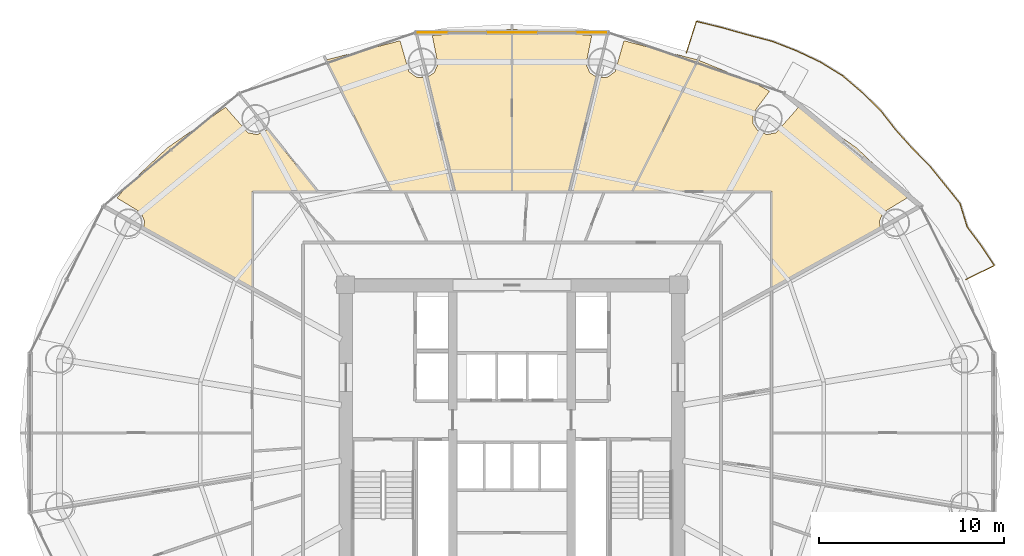
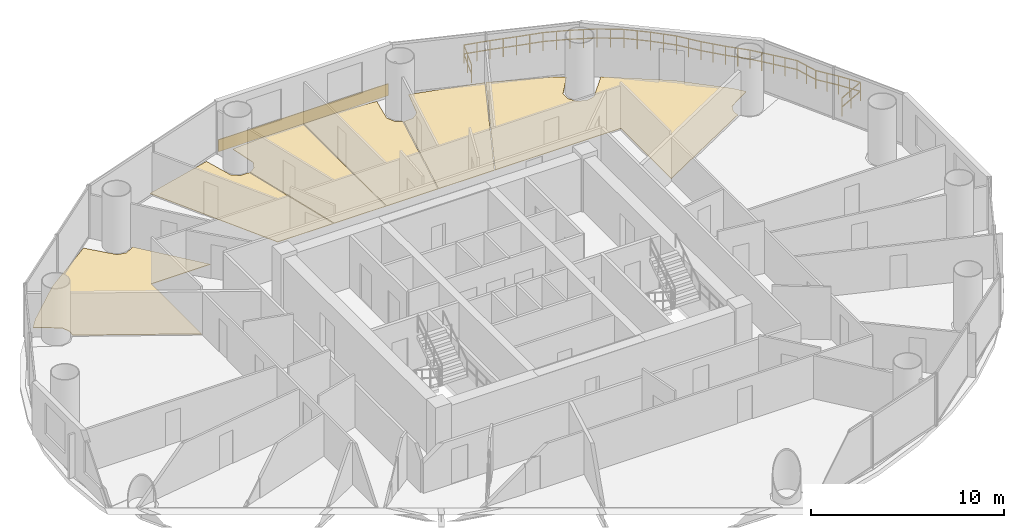
# One storey, part 29 of 29: 7 coverings, 1 railing.
"""IFC4 building model written with IfcOpenShell, lengths in metres."""

from ifc_helpers import new_model, si_unit, direction, frame, origin, origin_2d, place, context, subcontext, project, spatial, polyline, rectangle, outline, extrude, source, transform, mapped, material, layer, layer_set, type_object, element, save


model = new_model("IFC4")

# Units and contexts
model_context = context("Model", 3, precision=1e-05, world=origin(), true_north=direction((-0.2419218956, 0.970295726276)))
body_context = subcontext(model_context, "Body", "Model", "MODEL_VIEW")
ifc_project = project(units=[si_unit("LENGTHUNIT", "METRE"), si_unit("AREAUNIT", "SQUARE_METRE"), si_unit("VOLUMEUNIT", "CUBIC_METRE"), si_unit("PLANEANGLEUNIT", "RADIAN"), si_unit("MASSUNIT", "GRAM", prefix="KILO")], contexts=[model_context])

# Site, building, storey
site_placement = place(None, origin())
site = spatial("IfcSite", under=ifc_project, at=site_placement, CompositionType="ELEMENT")
building_placement = place(site_placement, origin())
building = spatial("IfcBuilding", under=site, at=building_placement, Name="Cobrevalo Terracotta Tower", CompositionType="ELEMENT")
storey_placement = place(building_placement, frame((0.0, 0.0, 90.60009765625)))
storey = spatial("IfcBuildingStorey", under=building, at=storey_placement, Name="L23", CompositionType="ELEMENT", Elevation=90.60009765625)

# Railing
ifc_material_1 = material(Name="Laminated structural glass and stainless steel", Category="steel")
railing_type = type_object("IfcRailingType", Name="Balcony lobe structural glass & terracotta-cap balustrade 1180 mm", PredefinedType="BALUSTRADE", material=ifc_material_1)
railing_placement = place(storey_placement, frame((62.544189453125, 35.095947265625, 0.0)))
element("IfcRailing", 1, at=railing_placement, inside=storey, type_object=railing_type, Name="L23 spiralling balcony lobe balustrade 1", PredefinedType="BALUSTRADE", context=body_context, shape_type="SweptSolid", body=[
    extrude(rectangle(XDim=0.048095703125, YDim=0.048095703125, at=origin_2d()), frame((0.0, 0.0, 1.15576171875), z_axis=(0.89828399934, 0.439415357639, 0.0), x_axis=(-0.439415357639, 0.89828399934, 0.0)), (0.0, 0.0, 1.0), 1.706787109375),
    extrude(rectangle(XDim=0.048095703125, YDim=0.048095703125, at=origin_2d()), frame((0.0, 0.0, 0.58984375), z_axis=(0.89828399934, 0.439415357639, 0.0), x_axis=(-0.439415357639, 0.89828399934, 0.0)), (0.0, 0.0, 1.0), 1.706787109375),
    extrude(rectangle(XDim=0.048095703125, YDim=0.048095703125, at=origin_2d()), frame((1.533203125, 0.75, 1.15576171875), z_axis=(-0.549292614204, 0.835630076039, 0.0), x_axis=(-0.835630076039, -0.549292614204, 0.0)), (0.0, 0.0, 1.0), 1.27392578125),
    extrude(rectangle(XDim=0.048095703125, YDim=0.048095703125, at=origin_2d()), frame((1.533203125, 0.75, 0.58984375), z_axis=(-0.549292614204, 0.835630076039, 0.0), x_axis=(-0.835630076039, -0.549292614204, 0.0)), (0.0, 0.0, 1.0), 1.27392578125),
    extrude(rectangle(XDim=0.048095703125, YDim=0.048095703125, at=origin_2d()), frame((0.83349609375, 1.814453125, 1.15576171875), z_axis=(-0.601504138255, 0.798869683779, 0.0), x_axis=(-0.798869683779, -0.601504138255, 0.0)), (0.0, 0.0, 1.0), 1.271728515625),
    extrude(rectangle(XDim=0.048095703125, YDim=0.048095703125, at=origin_2d()), frame((0.83349609375, 1.814453125, 0.58984375), z_axis=(-0.601504138255, 0.798869683779, 0.0), x_axis=(-0.798869683779, -0.601504138255, 0.0)), (0.0, 0.0, 1.0), 1.271728515625),
    extrude(rectangle(XDim=0.048095703125, YDim=0.048095703125, at=origin_2d()), frame((0.068603515625, 2.830322265625, 1.15576171875), z_axis=(-0.294689932382, 0.955592927848, 0.0), x_axis=(-0.955592927848, -0.294689932382, 0.0)), (0.0, 0.0, 1.0), 1.334716796875),
    extrude(rectangle(XDim=0.048095703125, YDim=0.048095703125, at=origin_2d()), frame((0.068603515625, 2.830322265625, 0.58984375), z_axis=(-0.294689932382, 0.955592927848, 0.0), x_axis=(-0.955592927848, -0.294689932382, 0.0)), (0.0, 0.0, 1.0), 1.334716796875),
    extrude(rectangle(XDim=0.048095703125, YDim=0.048095703125, at=origin_2d()), frame((-0.32470703125, 4.105712890625, 1.15576171875), z_axis=(-0.625629771124, 0.780120112215, 0.0), x_axis=(-0.780120112215, -0.625629771124, 0.0)), (0.0, 0.0, 1.0), 1.305419921875),
    extrude(rectangle(XDim=0.048095703125, YDim=0.048095703125, at=origin_2d()), frame((-0.32470703125, 4.105712890625, 0.58984375), z_axis=(-0.625629771124, 0.780120112215, 0.0), x_axis=(-0.780120112215, -0.625629771124, 0.0)), (0.0, 0.0, 1.0), 1.305419921875),
    extrude(rectangle(XDim=0.048095703125, YDim=0.048095703125, at=origin_2d()), frame((-1.141357421875, 5.1240234375, 1.15576171875), z_axis=(-0.628729378475, 0.777624182136, 0.0), x_axis=(-0.777624182136, -0.628729378475, 0.0)), (0.0, 0.0, 1.0), 1.303466796875),
    extrude(rectangle(XDim=0.048095703125, YDim=0.048095703125, at=origin_2d()), frame((-1.141357421875, 5.1240234375, 0.58984375), z_axis=(-0.628729378475, 0.777624182136, 0.0), x_axis=(-0.777624182136, -0.628729378475, 0.0)), (0.0, 0.0, 1.0), 1.303466796875),
    extrude(rectangle(XDim=0.048095703125, YDim=0.048095703125, at=origin_2d()), frame((-1.9609375, 6.1376953125, 1.15576171875), z_axis=(-0.70396125259, 0.710238378892, 0.0), x_axis=(-0.710238378892, -0.70396125259, 0.0)), (0.0, 0.0, 1.0), 1.322265625),
    extrude(rectangle(XDim=0.048095703125, YDim=0.048095703125, at=origin_2d()), frame((-1.9609375, 6.1376953125, 0.58984375), z_axis=(-0.70396125259, 0.710238378892, 0.0), x_axis=(-0.710238378892, -0.70396125259, 0.0)), (0.0, 0.0, 1.0), 1.322265625),
    extrude(rectangle(XDim=0.048095703125, YDim=0.048095703125, at=origin_2d()), frame((-2.891845703125, 7.076904296875, 1.15576171875), z_axis=(-0.668086156286, 0.744083925226, 0.0), x_axis=(-0.744083925226, -0.668086156286, 0.0)), (0.0, 0.0, 1.0), 1.33642578125),
    extrude(rectangle(XDim=0.048095703125, YDim=0.048095703125, at=origin_2d()), frame((-2.891845703125, 7.076904296875, 0.58984375), z_axis=(-0.668086156286, 0.744083925226, 0.0), x_axis=(-0.744083925226, -0.668086156286, 0.0)), (0.0, 0.0, 1.0), 1.33642578125),
    extrude(rectangle(XDim=0.048095703125, YDim=0.048095703125, at=origin_2d()), frame((-3.78466796875, 8.0712890625, 1.15576171875), z_axis=(-0.616428314898, 0.787411031541, 0.0), x_axis=(-0.787411031541, -0.616428314898, 0.0)), (0.0, 0.0, 1.0), 1.370849609375),
    extrude(rectangle(XDim=0.048095703125, YDim=0.048095703125, at=origin_2d()), frame((-3.78466796875, 8.0712890625, 0.58984375), z_axis=(-0.616428314898, 0.787411031541, 0.0), x_axis=(-0.787411031541, -0.616428314898, 0.0)), (0.0, 0.0, 1.0), 1.370849609375),
    extrude(rectangle(XDim=0.048095703125, YDim=0.048095703125, at=origin_2d()), frame((-4.629638671875, 9.150634765625, 1.15576171875), z_axis=(-0.716028739311, 0.698070801911, 0.0), x_axis=(-0.698070801911, -0.716028739311, 0.0)), (0.0, 0.0, 1.0), 1.38671875),
    extrude(rectangle(XDim=0.048095703125, YDim=0.048095703125, at=origin_2d()), frame((-4.629638671875, 9.150634765625, 0.58984375), z_axis=(-0.716028739311, 0.698070801911, 0.0), x_axis=(-0.698070801911, -0.716028739311, 0.0)), (0.0, 0.0, 1.0), 1.38671875),
    extrude(rectangle(XDim=0.048095703125, YDim=0.048095703125, at=origin_2d()), frame((-5.62255859375, 10.11865234375, 1.15576171875), z_axis=(-0.760680862312, 0.649126047631, 0.0), x_axis=(-0.649126047631, -0.760680862312, 0.0)), (0.0, 0.0, 1.0), 1.3896484375),
    extrude(rectangle(XDim=0.048095703125, YDim=0.048095703125, at=origin_2d()), frame((-5.62255859375, 10.11865234375, 0.58984375), z_axis=(-0.760680862312, 0.649126047631, 0.0), x_axis=(-0.649126047631, -0.760680862312, 0.0)), (0.0, 0.0, 1.0), 1.3896484375),
    extrude(rectangle(XDim=0.048095703125, YDim=0.048095703125, at=origin_2d()), frame((-6.6796875, 11.020751953125, 1.15576171875), z_axis=(-0.851514645557, 0.524330819618, 0.0), x_axis=(-0.524330819618, -0.851514645557, 0.0)), (0.0, 0.0, 1.0), 1.400634765625),
    extrude(rectangle(XDim=0.048095703125, YDim=0.048095703125, at=origin_2d()), frame((-6.6796875, 11.020751953125, 0.58984375), z_axis=(-0.851514645557, 0.524330819618, 0.0), x_axis=(-0.524330819618, -0.851514645557, 0.0)), (0.0, 0.0, 1.0), 1.400634765625),
    extrude(rectangle(XDim=0.048095703125, YDim=0.048095703125, at=origin_2d()), frame((-7.872314453125, 11.755126953125, 1.15576171875), z_axis=(-0.904528501346, 0.42641316848, 0.0), x_axis=(-0.42641316848, -0.904528501346, 0.0)), (0.0, 0.0, 1.0), 1.411865234375),
    extrude(rectangle(XDim=0.048095703125, YDim=0.048095703125, at=origin_2d()), frame((-7.872314453125, 11.755126953125, 0.58984375), z_axis=(-0.904528501346, 0.42641316848, 0.0), x_axis=(-0.42641316848, -0.904528501346, 0.0)), (0.0, 0.0, 1.0), 1.411865234375),
    extrude(rectangle(XDim=0.048095703125, YDim=0.048095703125, at=origin_2d()), frame((-9.1494140625, 12.357177734375, 1.15576171875), z_axis=(-0.930955857291, 0.365131745779, 0.0), x_axis=(-0.365131745779, -0.930955857291, 0.0)), (0.0, 0.0, 1.0), 1.407470703125),
    extrude(rectangle(XDim=0.048095703125, YDim=0.048095703125, at=origin_2d()), frame((-9.1494140625, 12.357177734375, 0.58984375), z_axis=(-0.930955857291, 0.365131745779, 0.0), x_axis=(-0.365131745779, -0.930955857291, 0.0)), (0.0, 0.0, 1.0), 1.407470703125),
    extrude(rectangle(XDim=0.048095703125, YDim=0.048095703125, at=origin_2d()), frame((-10.459716796875, 12.87109375, 1.15576171875), z_axis=(-0.967136275783, 0.254258577169, 0.0), x_axis=(-0.254258577169, -0.967136275783, 0.0)), (0.0, 0.0, 1.0), 1.43359375),
    extrude(rectangle(XDim=0.048095703125, YDim=0.048095703125, at=origin_2d()), frame((-10.459716796875, 12.87109375, 0.58984375), z_axis=(-0.967136275783, 0.254258577169, 0.0), x_axis=(-0.254258577169, -0.967136275783, 0.0)), (0.0, 0.0, 1.0), 1.43359375),
    extrude(rectangle(XDim=0.048095703125, YDim=0.048095703125, at=origin_2d()), frame((-11.84619140625, 13.235595703125, 1.15576171875), z_axis=(-0.962244484292, 0.272186613283, 0.0), x_axis=(-0.272186613283, -0.962244484292, 0.0)), (0.0, 0.0, 1.0), 1.41259765625),
    extrude(rectangle(XDim=0.048095703125, YDim=0.048095703125, at=origin_2d()), frame((-11.84619140625, 13.235595703125, 0.58984375), z_axis=(-0.962244484292, 0.272186613283, 0.0), x_axis=(-0.272186613283, -0.962244484292, 0.0)), (0.0, 0.0, 1.0), 1.41259765625),
    extrude(rectangle(XDim=0.048095703125, YDim=0.048095703125, at=origin_2d()), frame((-13.20556640625, 13.6201171875, 1.15576171875), z_axis=(-0.971558148622, 0.236801106091, 0.0), x_axis=(-0.236801106091, -0.971558148622, 0.0)), (0.0, 0.0, 1.0), 1.41357421875),
    extrude(rectangle(XDim=0.048095703125, YDim=0.048095703125, at=origin_2d()), frame((-13.20556640625, 13.6201171875, 0.58984375), z_axis=(-0.971558148622, 0.236801106091, 0.0), x_axis=(-0.236801106091, -0.971558148622, 0.0)), (0.0, 0.0, 1.0), 1.41357421875),
    extrude(rectangle(XDim=0.048095703125, YDim=0.048095703125, at=origin_2d()), frame((-14.578857421875, 13.954833984375, 1.15576171875), z_axis=(-0.30216553642, -0.953255468697, 0.0), x_axis=(0.953255468697, -0.30216553642, 0.0)), (0.0, 0.0, 1.0), 1.796142578125),
    extrude(rectangle(XDim=0.048095703125, YDim=0.048095703125, at=origin_2d()), frame((-14.578857421875, 13.954833984375, 0.58984375), z_axis=(-0.30216553642, -0.953255468697, 0.0), x_axis=(0.953255468697, -0.30216553642, 0.0)), (0.0, 0.0, 1.0), 1.796142578125),
    extrude(rectangle(XDim=0.0419921875, YDim=0.0419921875, at=origin_2d()), origin(), (0.0, 0.0, 1.0), 1.1318359375),
    extrude(rectangle(XDim=0.0419921875, YDim=0.0419921875, at=origin_2d()), frame((0.7666015625, 0.375, 0.0)), (0.0, 0.0, 1.0), 1.1318359375),
    extrude(rectangle(XDim=0.0419921875, YDim=0.0419921875, at=origin_2d()), frame((1.533203125, 0.75, 0.0)), (0.0, 0.0, 1.0), 1.1318359375),
    extrude(rectangle(XDim=0.0419921875, YDim=0.0419921875, at=origin_2d()), frame((1.183349609375, 1.2822265625, 0.0)), (0.0, 0.0, 1.0), 1.1318359375),
    extrude(rectangle(XDim=0.0419921875, YDim=0.0419921875, at=origin_2d()), frame((0.83349609375, 1.814453125, 0.0)), (0.0, 0.0, 1.0), 1.1318359375),
    extrude(rectangle(XDim=0.0419921875, YDim=0.0419921875, at=origin_2d()), frame((0.451171875, 2.322265625, 0.0)), (0.0, 0.0, 1.0), 1.1318359375),
    extrude(rectangle(XDim=0.0419921875, YDim=0.0419921875, at=origin_2d()), frame((0.068603515625, 2.830322265625, 0.0)), (0.0, 0.0, 1.0), 1.1318359375),
    extrude(rectangle(XDim=0.0419921875, YDim=0.0419921875, at=origin_2d()), frame((-0.1279296875, 3.468017578125, 0.0)), (0.0, 0.0, 1.0), 1.1318359375),
    extrude(rectangle(XDim=0.0419921875, YDim=0.0419921875, at=origin_2d()), frame((-0.32470703125, 4.105712890625, 0.0)), (0.0, 0.0, 1.0), 1.1318359375),
    extrude(rectangle(XDim=0.0419921875, YDim=0.0419921875, at=origin_2d()), frame((-0.73291015625, 4.61474609375, 0.0)), (0.0, 0.0, 1.0), 1.1318359375),
    extrude(rectangle(XDim=0.0419921875, YDim=0.0419921875, at=origin_2d()), frame((-1.141357421875, 5.1240234375, 0.0)), (0.0, 0.0, 1.0), 1.1318359375),
    extrude(rectangle(XDim=0.0419921875, YDim=0.0419921875, at=origin_2d()), frame((-1.55126953125, 5.630859375, 0.0)), (0.0, 0.0, 1.0), 1.1318359375),
    extrude(rectangle(XDim=0.0419921875, YDim=0.0419921875, at=origin_2d()), frame((-1.9609375, 6.1376953125, 0.0)), (0.0, 0.0, 1.0), 1.1318359375),
    extrude(rectangle(XDim=0.0419921875, YDim=0.0419921875, at=origin_2d()), frame((-2.42626953125, 6.607421875, 0.0)), (0.0, 0.0, 1.0), 1.1318359375),
    extrude(rectangle(XDim=0.0419921875, YDim=0.0419921875, at=origin_2d()), frame((-2.891845703125, 7.076904296875, 0.0)), (0.0, 0.0, 1.0), 1.1318359375),
    extrude(rectangle(XDim=0.0419921875, YDim=0.0419921875, at=origin_2d()), frame((-3.33837890625, 7.57421875, 0.0)), (0.0, 0.0, 1.0), 1.1318359375),
    extrude(rectangle(XDim=0.0419921875, YDim=0.0419921875, at=origin_2d()), frame((-3.78466796875, 8.0712890625, 0.0)), (0.0, 0.0, 1.0), 1.1318359375),
    extrude(rectangle(XDim=0.0419921875, YDim=0.0419921875, at=origin_2d()), frame((-4.20703125, 8.61083984375, 0.0)), (0.0, 0.0, 1.0), 1.1318359375),
    extrude(rectangle(XDim=0.0419921875, YDim=0.0419921875, at=origin_2d()), frame((-4.629638671875, 9.150634765625, 0.0)), (0.0, 0.0, 1.0), 1.1318359375),
    extrude(rectangle(XDim=0.0419921875, YDim=0.0419921875, at=origin_2d()), frame((-5.1259765625, 9.634765625, 0.0)), (0.0, 0.0, 1.0), 1.1318359375),
    extrude(rectangle(XDim=0.0419921875, YDim=0.0419921875, at=origin_2d()), frame((-5.62255859375, 10.11865234375, 0.0)), (0.0, 0.0, 1.0), 1.1318359375),
    extrude(rectangle(XDim=0.0419921875, YDim=0.0419921875, at=origin_2d()), frame((-6.151123046875, 10.56982421875, 0.0)), (0.0, 0.0, 1.0), 1.1318359375),
    extrude(rectangle(XDim=0.0419921875, YDim=0.0419921875, at=origin_2d()), frame((-6.6796875, 11.020751953125, 0.0)), (0.0, 0.0, 1.0), 1.1318359375),
    extrude(rectangle(XDim=0.0419921875, YDim=0.0419921875, at=origin_2d()), frame((-7.27587890625, 11.387939453125, 0.0)), (0.0, 0.0, 1.0), 1.1318359375),
    extrude(rectangle(XDim=0.0419921875, YDim=0.0419921875, at=origin_2d()), frame((-7.872314453125, 11.755126953125, 0.0)), (0.0, 0.0, 1.0), 1.1318359375),
    extrude(rectangle(XDim=0.0419921875, YDim=0.0419921875, at=origin_2d()), frame((-8.5107421875, 12.05615234375, 0.0)), (0.0, 0.0, 1.0), 1.1318359375),
    extrude(rectangle(XDim=0.0419921875, YDim=0.0419921875, at=origin_2d()), frame((-9.1494140625, 12.357177734375, 0.0)), (0.0, 0.0, 1.0), 1.1318359375),
    extrude(rectangle(XDim=0.0419921875, YDim=0.0419921875, at=origin_2d()), frame((-9.8046875, 12.6142578125, 0.0)), (0.0, 0.0, 1.0), 1.1318359375),
    extrude(rectangle(XDim=0.0419921875, YDim=0.0419921875, at=origin_2d()), frame((-10.459716796875, 12.87109375, 0.0)), (0.0, 0.0, 1.0), 1.1318359375),
    extrude(rectangle(XDim=0.0419921875, YDim=0.0419921875, at=origin_2d()), frame((-11.15283203125, 13.05322265625, 0.0)), (0.0, 0.0, 1.0), 1.1318359375),
    extrude(rectangle(XDim=0.0419921875, YDim=0.0419921875, at=origin_2d()), frame((-11.84619140625, 13.235595703125, 0.0)), (0.0, 0.0, 1.0), 1.1318359375),
    extrude(rectangle(XDim=0.0419921875, YDim=0.0419921875, at=origin_2d()), frame((-12.52587890625, 13.427734375, 0.0)), (0.0, 0.0, 1.0), 1.1318359375),
    extrude(rectangle(XDim=0.0419921875, YDim=0.0419921875, at=origin_2d()), frame((-13.20556640625, 13.6201171875, 0.0)), (0.0, 0.0, 1.0), 1.1318359375),
    extrude(rectangle(XDim=0.0419921875, YDim=0.0419921875, at=origin_2d()), frame((-13.89208984375, 13.78759765625, 0.0)), (0.0, 0.0, 1.0), 1.1318359375),
    extrude(rectangle(XDim=0.0419921875, YDim=0.0419921875, at=origin_2d()), frame((-14.578857421875, 13.954833984375, 0.0)), (0.0, 0.0, 1.0), 1.1318359375),
    extrude(rectangle(XDim=0.0419921875, YDim=0.0419921875, at=origin_2d()), frame((-14.85009765625, 13.0986328125, 0.0)), (0.0, 0.0, 1.0), 1.1318359375),
    extrude(rectangle(XDim=0.0419921875, YDim=0.0419921875, at=origin_2d()), frame((-15.12158203125, 12.24267578125, 0.0)), (0.0, 0.0, 1.0), 1.1318359375),
])

# Coverings
ifc_material_2 = material(Name="Engineered Brazilian hardwood flooring", Category="wood")
ifc_layer_1 = layer(ifc_material_2, 0.028076171875)
ifc_layer_set_1 = layer_set([ifc_layer_1], Name="Engineered Brazilian hardwood flooring")
covering_type_1 = type_object("IfcCoveringType", Name="Engineered Hardwood Suite Flooring 28", PredefinedType="FLOORING", material=ifc_layer_set_1)
covering_1_placement = place(storey_placement, origin())
element("IfcCovering", 2, at=covering_1_placement, inside=storey, type_object=covering_type_1, Name="Flat L23A Living and Dining Room floor finish", PredefinedType="FLOORING", context=body_context, shape_type="SweptSolid", body=[
    extrude(outline(polyline([(51.161376953125, 45.696044921875), (51.92431640625, 45.273193359375), (51.0185546875, 44.05615234375), (51.02001953125, 43.54541015625), (51.305419921875, 43.121337890625), (51.778076171875, 42.927490234375), (52.27880859375, 43.02880859375), (53.488525390625, 44.40673828125), (56.6123046875, 42.227783203125), (58.882080078125, 40.081787109375), (59.35302734375, 39.49755859375), (58.05908203125, 38.712890625), (57.868408203125, 38.23876953125), (57.916259765625, 37.879150390625), (52.054931640625, 34.62548828125), (52.054931640625, 39.85498046875), (44.531005859375, 39.85498046875), (48.07177734375, 46.95703125), (51.161376953125, 45.696044921875)])), origin(), (0.0, 0.0, 1.0), 0.02978515625),
])
covering_2_placement = place(storey_placement, origin())
element("IfcCovering", 3, at=covering_2_placement, inside=storey, type_object=covering_type_1, Name="Flat L23A Master Bedroom floor finish", PredefinedType="FLOORING", context=body_context, shape_type="SweptSolid", body=[
    extrude(outline(polyline([(48.033447265625, 46.9697265625), (44.486328125, 39.85498046875), (41.146240234375, 39.85498046875), (42.62109375, 46.015380859375), (43.170166015625, 46.030517578125), (43.578125, 46.337890625), (44.05078125, 48.001953125), (48.033447265625, 46.9697265625)])), origin(), (0.0, 0.0, 1.0), 0.02978515625),
])
covering_3_placement = place(storey_placement, origin())
element("IfcCovering", 4, at=covering_3_placement, inside=storey, type_object=covering_type_1, Name="Flat L23A Principal Guest Bedroom floor finish", PredefinedType="FLOORING", context=body_context, shape_type="SweptSolid", body=[
    extrude(outline(polyline([(42.3095703125, 48.2890625), (41.997802734375, 46.721435546875), (42.2197265625, 46.26123046875), (42.5830078125, 46.028564453125), (41.10498046875, 39.85498046875), (38.02001953125, 39.85498046875), (38.02001953125, 48.618896484375), (42.3095703125, 48.2890625)])), origin(), (0.0, 0.0, 1.0), 0.02978515625),
])
covering_4_placement = place(storey_placement, origin())
element("IfcCovering", 5, at=covering_4_placement, inside=storey, type_object=covering_type_1, Name="Flat L23A North Bedroom floor finish", PredefinedType="FLOORING", context=body_context, shape_type="SweptSolid", body=[
    extrude(outline(polyline([(37.97998046875, 48.618896484375), (37.97998046875, 39.85498046875), (34.89501953125, 39.85498046875), (33.4169921875, 46.028564453125), (33.7802734375, 46.26123046875), (34.002197265625, 46.721435546875), (33.6904296875, 48.2890625), (37.97998046875, 48.618896484375)])), origin(), (0.0, 0.0, 1.0), 0.02978515625),
])
covering_5_placement = place(storey_placement, origin())
element("IfcCovering", 6, at=covering_5_placement, inside=storey, type_object=covering_type_1, Name="Flat L23A South Bedroom floor finish", PredefinedType="FLOORING", context=body_context, shape_type="SweptSolid", body=[
    extrude(outline(polyline([(31.94921875, 48.001953125), (32.421875, 46.337890625), (32.829833984375, 46.030517578125), (33.37890625, 46.015380859375), (34.853759765625, 39.85498046875), (31.513671875, 39.85498046875), (27.966552734375, 46.9697265625), (31.94921875, 48.001953125)])), origin(), (0.0, 0.0, 1.0), 0.02978515625),
])
covering_6_placement = place(storey_placement, origin())
element("IfcCovering", 7, at=covering_6_placement, inside=storey, type_object=covering_type_1, Name="Flat L23A Penthouse Family Lounge floor finish", PredefinedType="FLOORING", context=body_context, shape_type="SweptSolid", body=[
    extrude(outline(polyline([(22.511474609375, 44.40673828125), (23.72119140625, 43.02880859375), (24.221923828125, 42.927490234375), (24.780029296875, 43.2060546875), (27.47509765625, 39.85498046875), (23.945068359375, 39.85498046875), (23.945068359375, 34.62548828125), (18.083740234375, 37.879150390625), (18.131591796875, 38.23876953125), (17.94091796875, 38.712890625), (16.64697265625, 39.49755859375), (17.117919921875, 40.081787109375), (19.3876953125, 42.227783203125), (22.511474609375, 44.40673828125)])), origin(), (0.0, 0.0, 1.0), 0.02978515625),
])
ifc_material_3 = material(Name="Glazed terracotta facade cladding tile", Category="masonry")
ifc_layer_2 = layer(ifc_material_3, 0.044921875)
ifc_layer_set_2 = layer_set([ifc_layer_2], Name="Glazed terracotta facade cladding tile")
covering_type_2 = type_object("IfcCoveringType", Name="Architectural terracotta rainscreen spandrel cladding 45 mm", PredefinedType="CLADDING", material=ifc_layer_set_2)
shared_shape = source(origin(), body_context, "Body", "SweptSolid", [
    extrude(rectangle(XDim=10.1669921875, YDim=0.044921875, at=origin_2d()), origin(), (0.0, 0.0, 1.0), 0.760009765625),
])
covering_7_placement = place(storey_placement, frame((38.0, 48.446044921875, 0.0400390625), z_axis=(0.0, 0.0, 1.0), x_axis=(-1.0, 0.0, 0.0)))
element("IfcCovering", 8, at=covering_7_placement, inside=storey, type_object=covering_type_2, Name="L23 terracotta spandrel cladding S04", PredefinedType="CLADDING", context=body_context, shape_type="MappedRepresentation", body=[
    mapped(shared_shape, transform((0.0, 0.0, 0.0), scale=1.0)),
])

save(model, "model.ifc")
